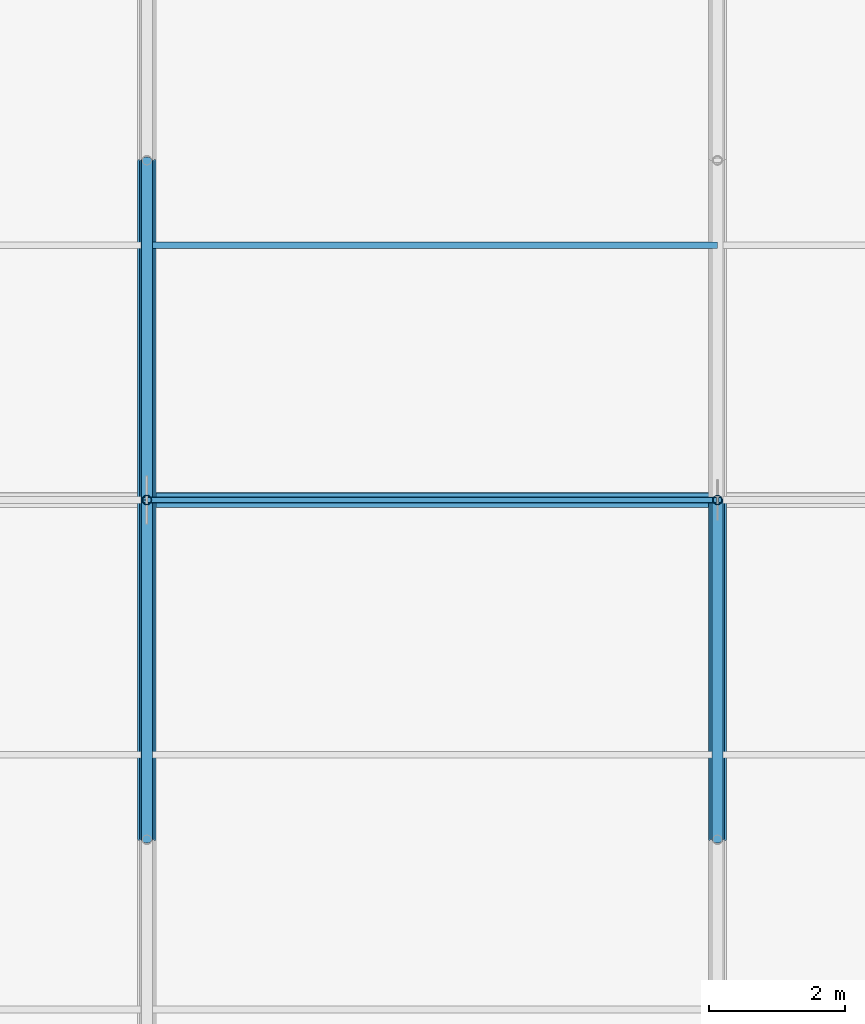
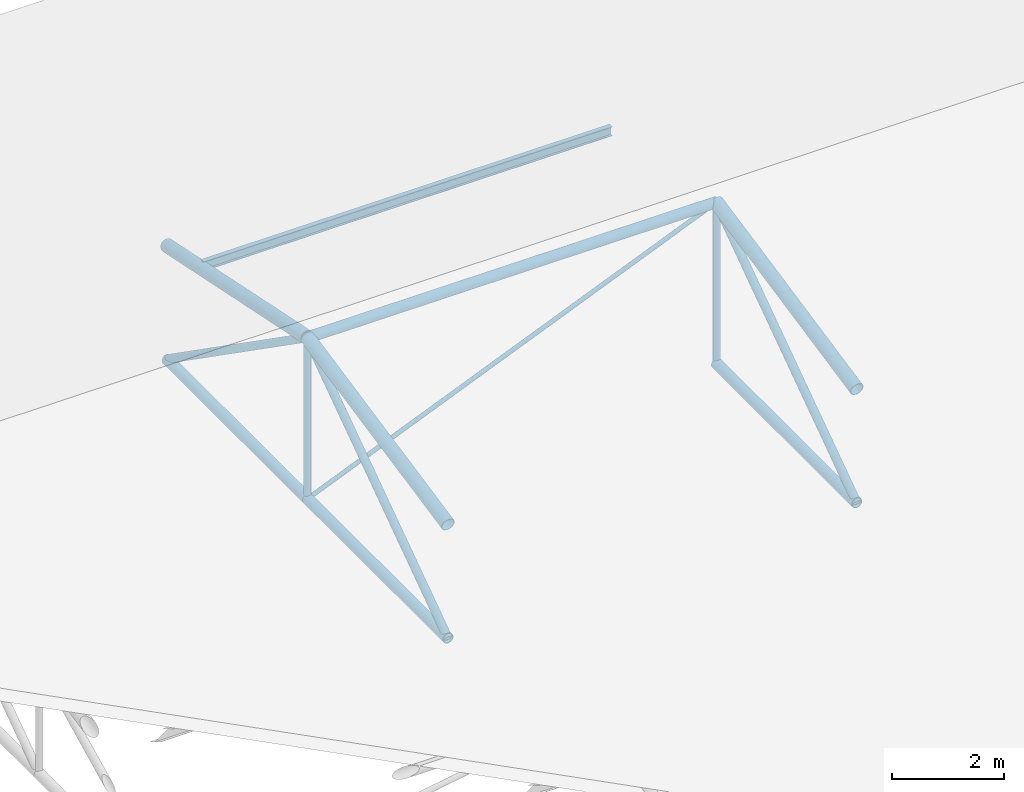
# One storey, part 97 of 194: 13 members, 1 beam.
"""IFC4 building model written with IfcOpenShell, lengths in metres."""

from ifc_helpers import new_model, si_unit, direction, frame, origin, origin_2d, place, context, subcontext, project, spatial, hollow_circle, i_section, extrude, material, material_profile, profile_set, type_object, element, save


model = new_model("IFC4")

# Units and contexts
model_context = context("Model", 3, precision=1e-05, world=origin(), true_north=direction((0.0, 1.0)))
body_context = subcontext(model_context, "Body", "Model", "MODEL_VIEW")
ifc_project = project(units=[si_unit("LENGTHUNIT", "METRE"), si_unit("AREAUNIT", "SQUARE_METRE"), si_unit("VOLUMEUNIT", "CUBIC_METRE"), si_unit("PLANEANGLEUNIT", "RADIAN"), si_unit("MASSUNIT", "GRAM", prefix="KILO")], contexts=[model_context])

# Site, building, storey
site_placement = place(None, origin())
site = spatial("IfcSite", under=ifc_project, at=site_placement, CompositionType="ELEMENT")
building_placement = place(site_placement, origin())
building = spatial("IfcBuilding", under=site, at=building_placement, Name="Kazenagashi Tramway Depot", CompositionType="ELEMENT")
storey_placement = place(building_placement, frame((0.0, 0.0, 23.7)))
storey = spatial("IfcBuildingStorey", under=building, at=storey_placement, Name="ROOF", CompositionType="ELEMENT", Elevation=23.7)

# Beam
ifc_material_1 = material(Name="Steel SN400B", Category="steel")
ifc_material_profile_1 = material_profile(ifc_material_1, i_section(OverallWidth=0.1, OverallDepth=0.2, WebThickness=0.0055, FlangeThickness=0.008, at=origin_2d()), Name="H-200x100x5.5x8")
ifc_profile_set_1 = profile_set([ifc_material_profile_1], Name="Steel SN400B")
beam_type = type_object("IfcBeamType", Name="PR-01", PredefinedType="USERDEFINED", material=ifc_profile_set_1)
beam_placement = place(storey_placement, frame((145.6, 118.75, -11.305), z_axis=(1.0, 0.0, 0.0), x_axis=(0.0, 1.0, 0.0)))
element("IfcBeam", 1, at=beam_placement, inside=storey, type_object=beam_type, Name="Beam PR-01 BM-2192", ObjectType="PURLIN", PredefinedType="USERDEFINED", context=body_context, shape_type="SweptSolid", body=[
    extrude(i_section(OverallWidth=0.1, OverallDepth=0.2, WebThickness=0.0055, FlangeThickness=0.008, at=origin_2d()), origin(), (0.0, 0.0, 1.0), 8.4),
])

# Members
ifc_material_2 = material(Name="Steel STK490", Category="steel")
ifc_material_profile_2 = material_profile(ifc_material_2, hollow_circle(Radius=0.1337, WallThickness=0.0093, at=origin_2d()), Name="CHS-267.4x9.3")
ifc_profile_set_2 = profile_set([ifc_material_profile_2], Name="Steel STK490")
member_type_1 = type_object("IfcMemberType", Name="TC-01", PredefinedType="CHORD", material=ifc_profile_set_2)
for number, where, z_axis, x_axis, name in (
    (2, (145.6, 110.0, -11.633), (0.0, 0.979317999984, 0.202327098797), (-1.0, 0.0, 0.0), "Tubular Space Frame TC-01 MEM-0770"),
    (3, (145.6, 115.0, -10.6), (0.0, 0.979317999984, -0.202327098797), (-1.0, 0.0, 0.0), "Tubular Space Frame TC-01 MEM-0773"),
    (4, (154.0, 110.0, -11.633), (0.0, 0.979317999984, 0.202327098797), (-1.0, 0.0, 0.0), "Tubular Space Frame TC-01 MEM-0831"),
):
    element("IfcMember", number, at=place(storey_placement, frame(where, z_axis=z_axis, x_axis=x_axis)), inside=storey, type_object=member_type_1, Name=name, PredefinedType="CHORD", context=body_context, shape_type="SweptSolid", body=[
        extrude(hollow_circle(Radius=0.1337, WallThickness=0.0093, at=origin_2d()), origin(), (0.0, 0.0, 1.0), 5.105594),
    ])
ifc_material_profile_3 = material_profile(ifc_material_2, hollow_circle(Radius=0.10815, WallThickness=0.0082, at=origin_2d()), Name="CHS-216.3x8.2")
ifc_profile_set_3 = profile_set([ifc_material_profile_3], Name="Steel STK490")
member_type_2 = type_object("IfcMemberType", Name="TC-02", PredefinedType="CHORD", material=ifc_profile_set_3)
for number, where, z_axis, x_axis, name in (
    (5, (145.6, 110.0, -14.1), (0.0, 1.0, 0.0), (-1.0, 0.0, 0.0), "Tubular Space Frame TC-02 MEM-0771"),
    (6, (145.6, 115.0, -14.1), (0.0, 1.0, 0.0), (-1.0, 0.0, 0.0), "Tubular Space Frame TC-02 MEM-0774"),
):
    element("IfcMember", number, at=place(storey_placement, frame(where, z_axis=z_axis, x_axis=x_axis)), inside=storey, type_object=member_type_2, Name=name, PredefinedType="CHORD", context=body_context, shape_type="SweptSolid", body=[
        extrude(hollow_circle(Radius=0.10815, WallThickness=0.0082, at=origin_2d()), origin(), (0.0, 0.0, 1.0), 5.0),
    ])
member_1_placement = place(storey_placement, frame((145.6, 115.0, -10.6), z_axis=(1.0, 0.0, 0.0), x_axis=(0.0, 1.0, 0.0)))
element("IfcMember", 7, at=member_1_placement, inside=storey, type_object=member_type_2, Name="Tubular Space Frame TC-02 MEM-0790", PredefinedType="CHORD", context=body_context, shape_type="SweptSolid", body=[
    extrude(hollow_circle(Radius=0.10815, WallThickness=0.0082, at=origin_2d()), origin(), (0.0, 0.0, 1.0), 8.4),
])
member_2_placement = place(storey_placement, frame((154.0, 110.0, -14.1), z_axis=(0.0, 1.0, 0.0), x_axis=(-1.0, 0.0, 0.0)))
element("IfcMember", 8, at=member_2_placement, inside=storey, type_object=member_type_2, Name="Tubular Space Frame TC-02 MEM-0832", PredefinedType="CHORD", context=body_context, shape_type="SweptSolid", body=[
    extrude(hollow_circle(Radius=0.10815, WallThickness=0.0082, at=origin_2d()), origin(), (0.0, 0.0, 1.0), 5.0),
])
ifc_material_profile_4 = material_profile(ifc_material_2, hollow_circle(Radius=0.0826, WallThickness=0.0071, at=origin_2d()), Name="CHS-165.2x7.1")
ifc_profile_set_4 = profile_set([ifc_material_profile_4], Name="Steel STK490")
member_type_3 = type_object("IfcMemberType", Name="TS-01", PredefinedType="STRUT", material=ifc_profile_set_4)
for number, where, z_axis, x_axis, name in (
    (9, (145.6, 110.0, -14.1), (0.0, 0.819231920519, 0.573462344363), (-1.0, 0.0, 0.0), "Tubular Space Frame TS-01 MEM-0772"),
    (10, (145.6, 115.0, -10.6), (0.0, 0.819231920519, -0.573462344363), (-1.0, 0.0, 0.0), "Tubular Space Frame TS-01 MEM-0775"),
    (11, (154.0, 110.0, -14.1), (0.0, 0.819231920519, 0.573462344363), (-1.0, 0.0, 0.0), "Tubular Space Frame TS-01 MEM-0833"),
):
    element("IfcMember", number, at=place(storey_placement, frame(where, z_axis=z_axis, x_axis=x_axis)), inside=storey, type_object=member_type_3, Name=name, PredefinedType="STRUT", context=body_context, shape_type="SweptSolid", body=[
        extrude(hollow_circle(Radius=0.0826, WallThickness=0.0071, at=origin_2d()), origin(), (0.0, 0.0, 1.0), 6.103278),
    ])
ifc_material_profile_5 = material_profile(ifc_material_2, hollow_circle(Radius=0.0699, WallThickness=0.0066, at=origin_2d()), Name="CHS-139.8x6.6")
ifc_profile_set_5 = profile_set([ifc_material_profile_5], Name="Steel STK490")
member_type_4 = type_object("IfcMemberType", Name="TS-02", PredefinedType="STRUT", material=ifc_profile_set_5)
for number, where, z_axis, x_axis, name in (
    (12, (145.6, 115.0, -14.1), (0.0, 0.0, 1.0), (1.0, 0.0, 0.0), "Tubular Space Frame TS-02 MEM-0784"),
    (13, (154.0, 115.0, -14.1), (0.0, 0.0, 1.0), (1.0, 0.0, 0.0), "Tubular Space Frame TS-02 MEM-0845"),
):
    element("IfcMember", number, at=place(storey_placement, frame(where, z_axis=z_axis, x_axis=x_axis)), inside=storey, type_object=member_type_4, Name=name, PredefinedType="STRUT", context=body_context, shape_type="SweptSolid", body=[
        extrude(hollow_circle(Radius=0.0699, WallThickness=0.0066, at=origin_2d()), origin(), (0.0, 0.0, 1.0), 3.5),
    ])
ifc_material_3 = material(Name="Steel STK400", Category="steel")
ifc_material_profile_6 = material_profile(ifc_material_3, hollow_circle(Radius=0.04455, WallThickness=0.0042, at=origin_2d()), Name="CHS-89.1x4.2")
ifc_profile_set_6 = profile_set([ifc_material_profile_6], Name="Steel STK400")
member_type_5 = type_object("IfcMemberType", Name="TS-04", PredefinedType="STRUT", material=ifc_profile_set_6)
member_3_placement = place(storey_placement, frame((145.6, 115.0, -14.1), z_axis=(0.923076923077, 0.0, 0.384615384615), x_axis=(0.0, 1.0, 0.0)))
element("IfcMember", 14, at=member_3_placement, inside=storey, type_object=member_type_5, Name="Tubular Space Frame TS-04 MEM-0791", PredefinedType="STRUT", context=body_context, shape_type="SweptSolid", body=[
    extrude(hollow_circle(Radius=0.04455, WallThickness=0.0042, at=origin_2d()), origin(), (0.0, 0.0, 1.0), 9.1),
])

save(model, "model.ifc")
